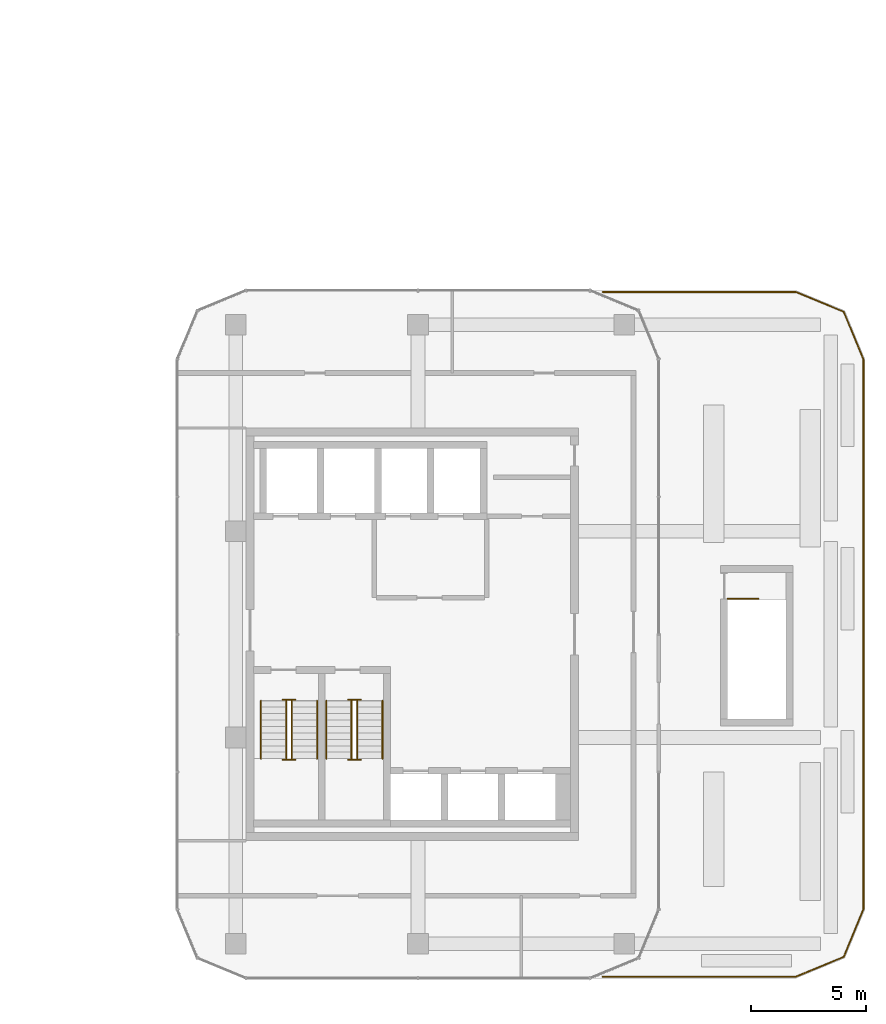
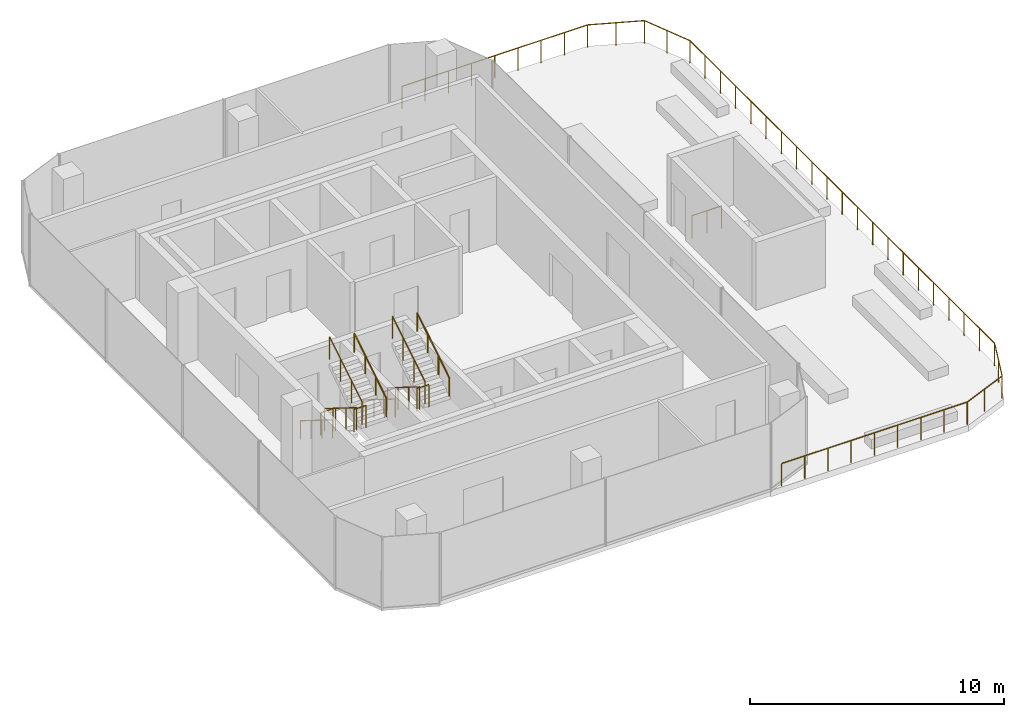
# One storey, part 22 of 22: 14 railings.
"""IFC4 building model written with IfcOpenShell, lengths in metres."""

from ifc_helpers import new_model, si_unit, direction, frame, origin, origin_2d, place, context, subcontext, project, spatial, circle, extrude, material, type_object, element, save


model = new_model("IFC4")

# Units and contexts
model_context = context("Model", 3, precision=1e-05, world=origin(), true_north=direction((0.0, 1.0)))
body_context = subcontext(model_context, "Body", "Model", "MODEL_VIEW")
ifc_project = project(units=[si_unit("LENGTHUNIT", "METRE"), si_unit("AREAUNIT", "SQUARE_METRE"), si_unit("VOLUMEUNIT", "CUBIC_METRE"), si_unit("PLANEANGLEUNIT", "RADIAN"), si_unit("MASSUNIT", "GRAM", prefix="KILO")], contexts=[model_context])

# Site, building, storey
site_placement = place(None, origin())
site = spatial("IfcSite", under=ifc_project, at=site_placement, CompositionType="ELEMENT")
building_placement = place(site_placement, origin())
building = spatial("IfcBuilding", under=site, at=building_placement, Name="Plateau Cross Towers", CompositionType="ELEMENT")
storey_placement = place(building_placement, frame((0.0, 0.0, 116.800048828125)))
storey = spatial("IfcBuildingStorey", under=building, at=storey_placement, Name="L30", CompositionType="ELEMENT", Elevation=116.800048828125)

# Railings
ifc_material_1 = material(Name="Stainless steel and toughened glass", Category="steel")
railing_type_1 = type_object("IfcRailingType", Name="Glass balustrade guard 1100", PredefinedType="GUARDRAIL", material=ifc_material_1)
railing_1_placement = place(storey_placement, frame((90.552978515625, 23.929443359375, 0.0)))
element("IfcRailing", 1, at=railing_1_placement, inside=storey, type_object=railing_type_1, Name="Guard guard1", PredefinedType="GUARDRAIL", context=body_context, shape_type="SweptSolid", body=[
    extrude(circle(Radius=0.02392578125, at=origin_2d()), frame((0.0, 0.0, 1.076171875), z_axis=(0.999999998324, 5.7900527e-05, 0.0), x_axis=(-5.7900527e-05, 0.999999998324, 0.0)), (0.0, 0.0, 1.0), 8.43310546875),
    extrude(circle(Radius=0.02392578125, at=origin_2d()), frame((8.43310546875, 0.00048828125, 1.076171875), z_axis=(0.92386362646, -0.382721830713, 0.0), x_axis=(0.382721830713, 0.92386362646, 0.0)), (0.0, 0.0, 1.0), 2.253173828125),
    extrude(circle(Radius=0.02392578125, at=origin_2d()), frame((10.5146484375, -0.86181640625, 1.076171875), z_axis=(0.382721830713, -0.92386362646, 0.0), x_axis=(0.92386362646, 0.382721830713, 0.0)), (0.0, 0.0, 1.0), 2.253173828125),
    extrude(circle(Radius=0.02392578125, at=origin_2d()), frame((11.376953125, -2.943359375, 1.076171875), z_axis=(0.0, -1.0, 0.0), x_axis=(1.0, 0.0, 0.0)), (0.0, 0.0, 1.0), 23.97216796875),
    extrude(circle(Radius=0.02392578125, at=origin_2d()), frame((11.376953125, -26.91552734375, 1.076171875), z_axis=(-0.382721830713, -0.92386362646, 0.0), x_axis=(0.92386362646, -0.382721830713, 0.0)), (0.0, 0.0, 1.0), 2.253173828125),
    extrude(circle(Radius=0.02392578125, at=origin_2d()), frame((10.5146484375, -28.9970703125, 1.076171875), z_axis=(-0.92386362646, -0.382721830713, 0.0), x_axis=(0.382721830713, -0.92386362646, 0.0)), (0.0, 0.0, 1.0), 2.253173828125),
    extrude(circle(Radius=0.02392578125, at=origin_2d()), frame((8.43310546875, -29.859375, 1.076171875), z_axis=(-1.0, 0.0, 0.0), x_axis=(0.0, -1.0, 0.0)), (0.0, 0.0, 1.0), 8.43310546875),
    extrude(circle(Radius=0.02099609375, at=origin_2d()), origin(), (0.0, 0.0, 1.0), 1.052001953125),
    extrude(circle(Radius=0.02099609375, at=origin_2d()), frame((1.05419921875, 0.0, 0.0)), (0.0, 0.0, 1.0), 1.052001953125),
    extrude(circle(Radius=0.02099609375, at=origin_2d()), frame((2.1083984375, 0.0, 0.0)), (0.0, 0.0, 1.0), 1.052001953125),
    extrude(circle(Radius=0.02099609375, at=origin_2d()), frame((3.162353515625, 0.000244140625, 0.0)), (0.0, 0.0, 1.0), 1.052001953125),
    extrude(circle(Radius=0.02099609375, at=origin_2d()), frame((4.216552734375, 0.000244140625, 0.0)), (0.0, 0.0, 1.0), 1.052001953125),
    extrude(circle(Radius=0.02099609375, at=origin_2d()), frame((5.270751953125, 0.000244140625, 0.0)), (0.0, 0.0, 1.0), 1.052001953125),
    extrude(circle(Radius=0.02099609375, at=origin_2d()), frame((6.32470703125, 0.00048828125, 0.0)), (0.0, 0.0, 1.0), 1.052001953125),
    extrude(circle(Radius=0.02099609375, at=origin_2d()), frame((7.37890625, 0.00048828125, 0.0)), (0.0, 0.0, 1.0), 1.052001953125),
    extrude(circle(Radius=0.02099609375, at=origin_2d()), frame((8.43310546875, 0.00048828125, 0.0)), (0.0, 0.0, 1.0), 1.052001953125),
    extrude(circle(Radius=0.02099609375, at=origin_2d()), frame((9.473876953125, -0.4306640625, 0.0)), (0.0, 0.0, 1.0), 1.052001953125),
    extrude(circle(Radius=0.02099609375, at=origin_2d()), frame((10.5146484375, -0.86181640625, 0.0)), (0.0, 0.0, 1.0), 1.052001953125),
    extrude(circle(Radius=0.02099609375, at=origin_2d()), frame((10.94580078125, -1.902587890625, 0.0)), (0.0, 0.0, 1.0), 1.052001953125),
    extrude(circle(Radius=0.02099609375, at=origin_2d()), frame((11.376953125, -2.943359375, 0.0)), (0.0, 0.0, 1.0), 1.052001953125),
    extrude(circle(Radius=0.02099609375, at=origin_2d()), frame((11.376953125, -4.14208984375, 0.0)), (0.0, 0.0, 1.0), 1.052001953125),
    extrude(circle(Radius=0.02099609375, at=origin_2d()), frame((11.376953125, -5.340576171875, 0.0)), (0.0, 0.0, 1.0), 1.052001953125),
    extrude(circle(Radius=0.02099609375, at=origin_2d()), frame((11.376953125, -6.5390625, 0.0)), (0.0, 0.0, 1.0), 1.052001953125),
    extrude(circle(Radius=0.02099609375, at=origin_2d()), frame((11.376953125, -7.73779296875, 0.0)), (0.0, 0.0, 1.0), 1.052001953125),
    extrude(circle(Radius=0.02099609375, at=origin_2d()), frame((11.376953125, -8.9365234375, 0.0)), (0.0, 0.0, 1.0), 1.052001953125),
    extrude(circle(Radius=0.02099609375, at=origin_2d()), frame((11.376953125, -10.135009765625, 0.0)), (0.0, 0.0, 1.0), 1.052001953125),
    extrude(circle(Radius=0.02099609375, at=origin_2d()), frame((11.376953125, -11.33349609375, 0.0)), (0.0, 0.0, 1.0), 1.052001953125),
    extrude(circle(Radius=0.02099609375, at=origin_2d()), frame((11.376953125, -12.5322265625, 0.0)), (0.0, 0.0, 1.0), 1.052001953125),
    extrude(circle(Radius=0.02099609375, at=origin_2d()), frame((11.376953125, -13.73095703125, 0.0)), (0.0, 0.0, 1.0), 1.052001953125),
    extrude(circle(Radius=0.02099609375, at=origin_2d()), frame((11.376953125, -14.929443359375, 0.0)), (0.0, 0.0, 1.0), 1.052001953125),
    extrude(circle(Radius=0.02099609375, at=origin_2d()), frame((11.376953125, -16.1279296875, 0.0)), (0.0, 0.0, 1.0), 1.052001953125),
    extrude(circle(Radius=0.02099609375, at=origin_2d()), frame((11.376953125, -17.32666015625, 0.0)), (0.0, 0.0, 1.0), 1.052001953125),
    extrude(circle(Radius=0.02099609375, at=origin_2d()), frame((11.376953125, -18.525390625, 0.0)), (0.0, 0.0, 1.0), 1.052001953125),
    extrude(circle(Radius=0.02099609375, at=origin_2d()), frame((11.376953125, -19.723876953125, 0.0)), (0.0, 0.0, 1.0), 1.052001953125),
    extrude(circle(Radius=0.02099609375, at=origin_2d()), frame((11.376953125, -20.92236328125, 0.0)), (0.0, 0.0, 1.0), 1.052001953125),
    extrude(circle(Radius=0.02099609375, at=origin_2d()), frame((11.376953125, -22.12109375, 0.0)), (0.0, 0.0, 1.0), 1.052001953125),
    extrude(circle(Radius=0.02099609375, at=origin_2d()), frame((11.376953125, -23.31982421875, 0.0)), (0.0, 0.0, 1.0), 1.052001953125),
    extrude(circle(Radius=0.02099609375, at=origin_2d()), frame((11.376953125, -24.518310546875, 0.0)), (0.0, 0.0, 1.0), 1.052001953125),
    extrude(circle(Radius=0.02099609375, at=origin_2d()), frame((11.376953125, -25.716796875, 0.0)), (0.0, 0.0, 1.0), 1.052001953125),
    extrude(circle(Radius=0.02099609375, at=origin_2d()), frame((11.376953125, -26.91552734375, 0.0)), (0.0, 0.0, 1.0), 1.052001953125),
    extrude(circle(Radius=0.02099609375, at=origin_2d()), frame((10.94580078125, -27.956298828125, 0.0)), (0.0, 0.0, 1.0), 1.052001953125),
    extrude(circle(Radius=0.02099609375, at=origin_2d()), frame((10.5146484375, -28.9970703125, 0.0)), (0.0, 0.0, 1.0), 1.052001953125),
    extrude(circle(Radius=0.02099609375, at=origin_2d()), frame((9.473876953125, -29.42822265625, 0.0)), (0.0, 0.0, 1.0), 1.052001953125),
    extrude(circle(Radius=0.02099609375, at=origin_2d()), frame((8.43310546875, -29.859375, 0.0)), (0.0, 0.0, 1.0), 1.052001953125),
    extrude(circle(Radius=0.02099609375, at=origin_2d()), frame((7.37890625, -29.859375, 0.0)), (0.0, 0.0, 1.0), 1.052001953125),
    extrude(circle(Radius=0.02099609375, at=origin_2d()), frame((6.32470703125, -29.859375, 0.0)), (0.0, 0.0, 1.0), 1.052001953125),
    extrude(circle(Radius=0.02099609375, at=origin_2d()), frame((5.270751953125, -29.859375, 0.0)), (0.0, 0.0, 1.0), 1.052001953125),
    extrude(circle(Radius=0.02099609375, at=origin_2d()), frame((4.216552734375, -29.859375, 0.0)), (0.0, 0.0, 1.0), 1.052001953125),
    extrude(circle(Radius=0.02099609375, at=origin_2d()), frame((3.162353515625, -29.859375, 0.0)), (0.0, 0.0, 1.0), 1.052001953125),
    extrude(circle(Radius=0.02099609375, at=origin_2d()), frame((2.1083984375, -29.859375, 0.0)), (0.0, 0.0, 1.0), 1.052001953125),
    extrude(circle(Radius=0.02099609375, at=origin_2d()), frame((1.05419921875, -29.859375, 0.0)), (0.0, 0.0, 1.0), 1.052001953125),
    extrude(circle(Radius=0.02099609375, at=origin_2d()), frame((0.0, -29.859375, 0.0)), (0.0, 0.0, 1.0), 1.052001953125),
])
railing_type_2 = type_object("IfcRailingType", Name="RL-GUARD-1100", PredefinedType="GUARDRAIL", material=ifc_material_1)
railing_2_placement = place(storey_placement, frame((76.75, 6.10009765625, 0.175048828125)))
element("IfcRailing", 2, at=railing_2_placement, inside=storey, type_object=railing_type_2, Name="L30 SB-1 stair guard 1", PredefinedType="GUARDRAIL", context=body_context, shape_type="SweptSolid", body=[
    extrude(circle(Radius=0.02392578125, at=origin_2d()), frame((0.0, 0.0, 1.076171875), z_axis=(0.0, -0.848007534815, 0.529984170421), x_axis=(1.0, 0.0, 0.0)), (0.0, 0.0, 1.0), 2.9716796875),
    extrude(circle(Radius=0.02099609375, at=origin_2d()), origin(), (0.0, 0.0, 1.0), 1.052001953125),
    extrude(circle(Radius=0.02099609375, at=origin_2d()), frame((0.0, -0.840087890625, 0.52490234375)), (0.0, 0.0, 1.0), 1.052001953125),
    extrude(circle(Radius=0.02099609375, at=origin_2d()), frame((0.0, -1.679931640625, 1.050048828125)), (0.0, 0.0, 1.0), 1.052001953125),
    extrude(circle(Radius=0.02099609375, at=origin_2d()), frame((0.0, -2.52001953125, 1.574951171875)), (0.0, 0.0, 1.0), 1.052001953125),
])
railing_3_placement = place(storey_placement, frame((76.60009765625, 3.530029296875, 1.75)))
element("IfcRailing", 3, at=railing_3_placement, inside=storey, type_object=railing_type_2, Name="L30 SB-1 stair guard 2", PredefinedType="GUARDRAIL", context=body_context, shape_type="SweptSolid", body=[
    extrude(circle(Radius=0.02392578125, at=origin_2d()), frame((0.0, 0.0, 1.076171875), z_axis=(1.0, 0.0, 0.0), x_axis=(0.0, 1.0, 0.0)), (0.0, 0.0, 1.0), 0.5498046875),
    extrude(circle(Radius=0.02099609375, at=origin_2d()), origin(), (0.0, 0.0, 1.0), 1.052001953125),
    extrude(circle(Radius=0.02099609375, at=origin_2d()), frame((0.5498046875, 0.0, 0.0)), (0.0, 0.0, 1.0), 1.052001953125),
])
railing_4_placement = place(storey_placement, frame((77.0, 3.580078125, 1.925048828125)))
element("IfcRailing", 4, at=railing_4_placement, inside=storey, type_object=railing_type_2, Name="L30 SB-1 stair guard 3", PredefinedType="GUARDRAIL", context=body_context, shape_type="SweptSolid", body=[
    extrude(circle(Radius=0.02392578125, at=origin_2d()), frame((0.0, 0.0, 1.076171875), z_axis=(0.0, 0.852616386126, 0.522537365276), x_axis=(-1.0, 0.0, 0.0)), (0.0, 0.0, 1.0), 3.01416015625),
    extrude(circle(Radius=0.02099609375, at=origin_2d()), origin(), (0.0, 0.0, 1.0), 1.052001953125),
    extrude(circle(Radius=0.02099609375, at=origin_2d()), frame((0.0, 0.856689453125, 0.52490234375)), (0.0, 0.0, 1.0), 1.052001953125),
    extrude(circle(Radius=0.02099609375, at=origin_2d()), frame((0.0, 1.713134765625, 1.050048828125)), (0.0, 0.0, 1.0), 1.052001953125),
    extrude(circle(Radius=0.02099609375, at=origin_2d()), frame((0.0, 2.56982421875, 1.574951171875)), (0.0, 0.0, 1.0), 1.052001953125),
])
railing_5_placement = place(storey_placement, frame((76.60009765625, 6.14990234375, 0.0)))
element("IfcRailing", 5, at=railing_5_placement, inside=storey, type_object=railing_type_2, Name="L30 SB-1 stair guard 4", PredefinedType="GUARDRAIL", context=body_context, shape_type="SweptSolid", body=[
    extrude(circle(Radius=0.02392578125, at=origin_2d()), frame((0.0, 0.0, 1.076171875), z_axis=(1.0, 0.0, 0.0), x_axis=(0.0, 1.0, 0.0)), (0.0, 0.0, 1.0), 0.5498046875),
    extrude(circle(Radius=0.02099609375, at=origin_2d()), origin(), (0.0, 0.0, 1.0), 1.052001953125),
    extrude(circle(Radius=0.02099609375, at=origin_2d()), frame((0.5498046875, 0.0, 0.0)), (0.0, 0.0, 1.0), 1.052001953125),
])
railing_6_placement = place(storey_placement, frame((79.60009765625, 6.10009765625, 0.175048828125)))
element("IfcRailing", 6, at=railing_6_placement, inside=storey, type_object=railing_type_2, Name="L30 SB-2 stair guard 1", PredefinedType="GUARDRAIL", context=body_context, shape_type="SweptSolid", body=[
    extrude(circle(Radius=0.02392578125, at=origin_2d()), frame((0.0, 0.0, 1.076171875), z_axis=(0.0, -0.848007534815, 0.529984170421), x_axis=(1.0, 0.0, 0.0)), (0.0, 0.0, 1.0), 2.9716796875),
    extrude(circle(Radius=0.02099609375, at=origin_2d()), origin(), (0.0, 0.0, 1.0), 1.052001953125),
    extrude(circle(Radius=0.02099609375, at=origin_2d()), frame((0.0, -0.840087890625, 0.52490234375)), (0.0, 0.0, 1.0), 1.052001953125),
    extrude(circle(Radius=0.02099609375, at=origin_2d()), frame((0.0, -1.679931640625, 1.050048828125)), (0.0, 0.0, 1.0), 1.052001953125),
    extrude(circle(Radius=0.02099609375, at=origin_2d()), frame((0.0, -2.52001953125, 1.574951171875)), (0.0, 0.0, 1.0), 1.052001953125),
])
railing_7_placement = place(storey_placement, frame((79.449951171875, 3.530029296875, 1.75)))
element("IfcRailing", 7, at=railing_7_placement, inside=storey, type_object=railing_type_2, Name="L30 SB-2 stair guard 2", PredefinedType="GUARDRAIL", context=body_context, shape_type="SweptSolid", body=[
    extrude(circle(Radius=0.02392578125, at=origin_2d()), frame((0.0, 0.0, 1.076171875), z_axis=(1.0, 0.0, 0.0), x_axis=(0.0, 1.0, 0.0)), (0.0, 0.0, 1.0), 0.550048828125),
    extrude(circle(Radius=0.02099609375, at=origin_2d()), origin(), (0.0, 0.0, 1.0), 1.052001953125),
    extrude(circle(Radius=0.02099609375, at=origin_2d()), frame((0.550048828125, 0.0, 0.0)), (0.0, 0.0, 1.0), 1.052001953125),
])
railing_8_placement = place(storey_placement, frame((79.85009765625, 3.580078125, 1.925048828125)))
element("IfcRailing", 8, at=railing_8_placement, inside=storey, type_object=railing_type_2, Name="L30 SB-2 stair guard 3", PredefinedType="GUARDRAIL", context=body_context, shape_type="SweptSolid", body=[
    extrude(circle(Radius=0.02392578125, at=origin_2d()), frame((0.0, 0.0, 1.076171875), z_axis=(0.0, 0.852616386126, 0.522537365276), x_axis=(-1.0, 0.0, 0.0)), (0.0, 0.0, 1.0), 3.01416015625),
    extrude(circle(Radius=0.02099609375, at=origin_2d()), origin(), (0.0, 0.0, 1.0), 1.052001953125),
    extrude(circle(Radius=0.02099609375, at=origin_2d()), frame((0.0, 0.856689453125, 0.52490234375)), (0.0, 0.0, 1.0), 1.052001953125),
    extrude(circle(Radius=0.02099609375, at=origin_2d()), frame((0.0, 1.713134765625, 1.050048828125)), (0.0, 0.0, 1.0), 1.052001953125),
    extrude(circle(Radius=0.02099609375, at=origin_2d()), frame((0.0, 2.56982421875, 1.574951171875)), (0.0, 0.0, 1.0), 1.052001953125),
])
railing_9_placement = place(storey_placement, frame((79.449951171875, 6.14990234375, 0.0)))
element("IfcRailing", 9, at=railing_9_placement, inside=storey, type_object=railing_type_2, Name="L30 SB-2 stair guard 4", PredefinedType="GUARDRAIL", context=body_context, shape_type="SweptSolid", body=[
    extrude(circle(Radius=0.02392578125, at=origin_2d()), frame((0.0, 0.0, 1.076171875), z_axis=(1.0, 0.0, 0.0), x_axis=(0.0, 1.0, 0.0)), (0.0, 0.0, 1.0), 0.550048828125),
    extrude(circle(Radius=0.02099609375, at=origin_2d()), origin(), (0.0, 0.0, 1.0), 1.052001953125),
    extrude(circle(Radius=0.02099609375, at=origin_2d()), frame((0.550048828125, 0.0, 0.0)), (0.0, 0.0, 1.0), 1.052001953125),
])
railing_10_placement = place(storey_placement, frame((96.0, 10.550048828125, 0.0)))
element("IfcRailing", 10, at=railing_10_placement, inside=storey, type_object=railing_type_2, Name="L30 SB-3 top well guard 1", PredefinedType="GUARDRAIL", context=body_context, shape_type="SweptSolid", body=[
    extrude(circle(Radius=0.02392578125, at=origin_2d()), frame((0.0, 0.0, 1.076171875), z_axis=(1.0, 0.0, 0.0), x_axis=(0.0, 1.0, 0.0)), (0.0, 0.0, 1.0), 1.35009765625),
    extrude(circle(Radius=0.02099609375, at=origin_2d()), origin(), (0.0, 0.0, 1.0), 1.052001953125),
    extrude(circle(Radius=0.02099609375, at=origin_2d()), frame((0.675048828125, 0.0, 0.0)), (0.0, 0.0, 1.0), 1.052001953125),
    extrude(circle(Radius=0.02099609375, at=origin_2d()), frame((1.35009765625, 0.0, 0.0)), (0.0, 0.0, 1.0), 1.052001953125),
])
ifc_material_2 = material(Name="Black anodised aluminium", Category="aluminium")
railing_type_3 = type_object("IfcRailingType", Name="RL-HANDRAIL-900", PredefinedType="HANDRAIL", material=ifc_material_2)
railing_11_placement = place(storey_placement, frame((75.64990234375, 6.10009765625, 0.175048828125)))
element("IfcRailing", 11, at=railing_11_placement, inside=storey, type_object=railing_type_3, Name="L30 SB-1 stair handrail 1", PredefinedType="HANDRAIL", context=body_context, shape_type="SweptSolid", body=[
    extrude(circle(Radius=0.02392578125, at=origin_2d()), frame((0.0, 0.0, 0.8759765625), z_axis=(0.0, -0.848007534815, 0.529984170421), x_axis=(1.0, 0.0, 0.0)), (0.0, 0.0, 1.0), 2.9716796875),
    extrude(circle(Radius=0.02099609375, at=origin_2d()), origin(), (0.0, 0.0, 1.0), 0.851806640625),
    extrude(circle(Radius=0.02099609375, at=origin_2d()), frame((0.0, -0.840087890625, 0.52490234375)), (0.0, 0.0, 1.0), 0.851806640625),
    extrude(circle(Radius=0.02099609375, at=origin_2d()), frame((0.0, -1.679931640625, 1.050048828125)), (0.0, 0.0, 1.0), 0.851806640625),
    extrude(circle(Radius=0.02099609375, at=origin_2d()), frame((0.0, -2.52001953125, 1.574951171875)), (0.0, 0.0, 1.0), 0.851806640625),
])
railing_12_placement = place(storey_placement, frame((78.10009765625, 3.580078125, 1.925048828125)))
element("IfcRailing", 12, at=railing_12_placement, inside=storey, type_object=railing_type_3, Name="L30 SB-1 stair handrail 2", PredefinedType="HANDRAIL", context=body_context, shape_type="SweptSolid", body=[
    extrude(circle(Radius=0.02392578125, at=origin_2d()), frame((0.0, 0.0, 0.8759765625), z_axis=(0.0, 0.848007534815, 0.529984170421), x_axis=(-1.0, 0.0, 0.0)), (0.0, 0.0, 1.0), 2.9716796875),
    extrude(circle(Radius=0.02099609375, at=origin_2d()), origin(), (0.0, 0.0, 1.0), 0.851806640625),
    extrude(circle(Radius=0.02099609375, at=origin_2d()), frame((0.0, 0.840087890625, 0.52490234375)), (0.0, 0.0, 1.0), 0.851806640625),
    extrude(circle(Radius=0.02099609375, at=origin_2d()), frame((0.0, 1.679931640625, 1.050048828125)), (0.0, 0.0, 1.0), 0.851806640625),
    extrude(circle(Radius=0.02099609375, at=origin_2d()), frame((0.0, 2.52001953125, 1.574951171875)), (0.0, 0.0, 1.0), 0.851806640625),
])
railing_13_placement = place(storey_placement, frame((78.5, 6.10009765625, 0.175048828125)))
element("IfcRailing", 13, at=railing_13_placement, inside=storey, type_object=railing_type_3, Name="L30 SB-2 stair handrail 1", PredefinedType="HANDRAIL", context=body_context, shape_type="SweptSolid", body=[
    extrude(circle(Radius=0.02392578125, at=origin_2d()), frame((0.0, 0.0, 0.8759765625), z_axis=(0.0, -0.848007534815, 0.529984170421), x_axis=(1.0, 0.0, 0.0)), (0.0, 0.0, 1.0), 2.9716796875),
    extrude(circle(Radius=0.02099609375, at=origin_2d()), origin(), (0.0, 0.0, 1.0), 0.851806640625),
    extrude(circle(Radius=0.02099609375, at=origin_2d()), frame((0.0, -0.840087890625, 0.52490234375)), (0.0, 0.0, 1.0), 0.851806640625),
    extrude(circle(Radius=0.02099609375, at=origin_2d()), frame((0.0, -1.679931640625, 1.050048828125)), (0.0, 0.0, 1.0), 0.851806640625),
    extrude(circle(Radius=0.02099609375, at=origin_2d()), frame((0.0, -2.52001953125, 1.574951171875)), (0.0, 0.0, 1.0), 0.851806640625),
])
railing_14_placement = place(storey_placement, frame((80.949951171875, 3.580078125, 1.925048828125)))
element("IfcRailing", 14, at=railing_14_placement, inside=storey, type_object=railing_type_3, Name="L30 SB-2 stair handrail 2", PredefinedType="HANDRAIL", context=body_context, shape_type="SweptSolid", body=[
    extrude(circle(Radius=0.02392578125, at=origin_2d()), frame((0.0, 0.0, 0.8759765625), z_axis=(0.0, 0.848007534815, 0.529984170421), x_axis=(-1.0, 0.0, 0.0)), (0.0, 0.0, 1.0), 2.9716796875),
    extrude(circle(Radius=0.02099609375, at=origin_2d()), origin(), (0.0, 0.0, 1.0), 0.851806640625),
    extrude(circle(Radius=0.02099609375, at=origin_2d()), frame((0.0, 0.840087890625, 0.52490234375)), (0.0, 0.0, 1.0), 0.851806640625),
    extrude(circle(Radius=0.02099609375, at=origin_2d()), frame((0.0, 1.679931640625, 1.050048828125)), (0.0, 0.0, 1.0), 0.851806640625),
    extrude(circle(Radius=0.02099609375, at=origin_2d()), frame((0.0, 2.52001953125, 1.574951171875)), (0.0, 0.0, 1.0), 0.851806640625),
])

save(model, "model.ifc")
